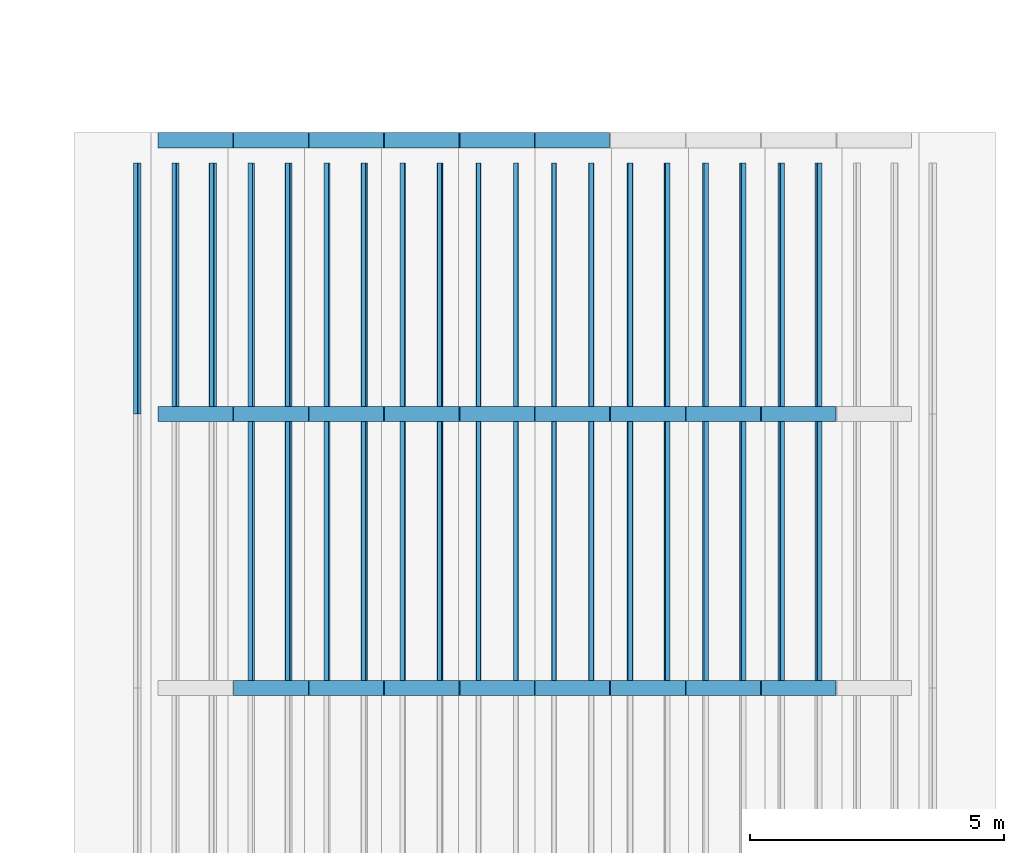
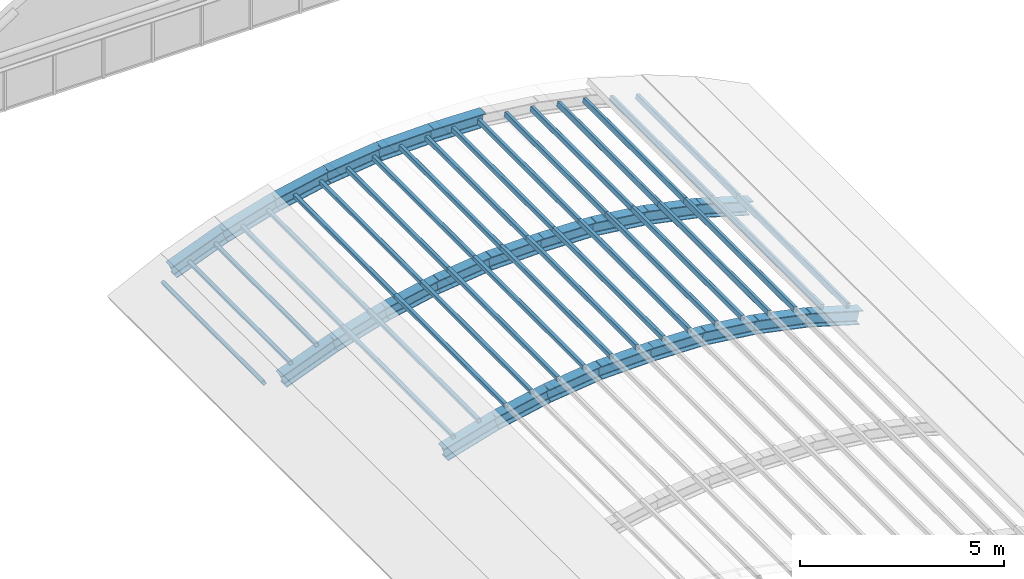
# One storey, part 6 of 65: 58 members.
"""IFC4 building model written with IfcOpenShell, lengths in metres."""

from ifc_helpers import new_model, si_unit, direction, frame, origin, origin_2d, place, context, subcontext, project, spatial, hollow_rectangle, i_section, extrude, material, material_profile, profile_set, type_object, element, save


model = new_model("IFC4")

# Units and contexts
model_context = context("Model", 3, precision=1e-05, world=origin(), true_north=direction((0.0, 1.0)))
body_context = subcontext(model_context, "Body", "Model", "MODEL_VIEW")
ifc_project = project(units=[si_unit("LENGTHUNIT", "METRE"), si_unit("AREAUNIT", "SQUARE_METRE"), si_unit("VOLUMEUNIT", "CUBIC_METRE"), si_unit("PLANEANGLEUNIT", "RADIAN"), si_unit("MASSUNIT", "GRAM", prefix="KILO")], contexts=[model_context])

# Site, building, storey
site_placement = place(None, origin())
site = spatial("IfcSite", under=ifc_project, at=site_placement, CompositionType="ELEMENT")
building_placement = place(site_placement, origin())
building = spatial("IfcBuilding", under=site, at=building_placement, Name="Elbe Cascade School", CompositionType="ELEMENT")
storey_placement = place(building_placement, frame((0.0, 0.0, 11.699951171875)))
storey = spatial("IfcBuildingStorey", under=building, at=storey_placement, Name="L03", CompositionType="ELEMENT", Elevation=11.699951171875)

# Members
ifc_material_1 = material(Name="Steel S355J2H", Category="steel")
ifc_material_profile_1 = material_profile(ifc_material_1, hollow_rectangle(XDim=0.10009765625, YDim=0.14990234375, WallThickness=0.008056640625, InnerFilletRadius=0.008056640625, OuterFilletRadius=0.011962890625, at=origin_2d()), Name="RHS 150x100x8")
ifc_profile_set_1 = profile_set([ifc_material_profile_1], Name="Steel S355J2H")
member_type_1 = type_object("IfcMemberType", Name="Assembly hall vault purlin RHS 150x100x8", PredefinedType="PURLIN", material=ifc_profile_set_1)
for number, where, z_axis, x_axis, name in (
    (1, (9.1552734375, 27.60009765625, 0.316650390625), (0.0, 1.0, 0.0), (-0.896138941153, 0.0, -0.443773588837), "Assembly hall vault purlin RHS 150x100x8 M12"),
    (2, (9.9130859375, 27.60009765625, 0.65185546875), (0.0, 1.0, 0.0), (-0.931759682277, 0.0, -0.363075604362), "Assembly hall vault purlin RHS 150x100x8 M12"),
    (3, (10.6484375, 27.60009765625, 0.9384765625), (0.0, 1.0, 0.0), (-0.931759682277, 0.0, -0.363075604362), "Assembly hall vault purlin RHS 150x100x8 M12"),
):
    element("IfcMember", number, at=place(storey_placement, frame(where, z_axis=z_axis, x_axis=x_axis)), inside=storey, type_object=member_type_1, Name=name, PredefinedType="PURLIN", context=body_context, shape_type="SweptSolid", body=[
        extrude(hollow_rectangle(XDim=0.10009765625, YDim=0.14990234375, WallThickness=0.008056640625, InnerFilletRadius=0.008056640625, OuterFilletRadius=0.011962890625, at=origin_2d()), origin(), (0.0, 0.0, 1.0), 4.949951171875),
    ])
member_1_placement = place(storey_placement, frame((11.40625, 22.199951171875, 1.197509765625), z_axis=(0.0, 1.0, 0.0), x_axis=(-0.959320873157, 0.0, -0.282318016296)))
element("IfcMember", 4, at=member_1_placement, inside=storey, type_object=member_type_1, Name="Assembly hall vault purlin RHS 150x100x8 M12", PredefinedType="PURLIN", context=body_context, shape_type="SweptSolid", body=[
    extrude(hollow_rectangle(XDim=0.10009765625, YDim=0.14990234375, WallThickness=0.008056640625, InnerFilletRadius=0.008056640625, OuterFilletRadius=0.011962890625, at=origin_2d()), origin(), (0.0, 0.0, 1.0), 5.400146484375),
])
member_2_placement = place(storey_placement, frame((11.40625, 27.60009765625, 1.197509765625), z_axis=(0.0, 1.0, 0.0), x_axis=(-0.959320873157, 0.0, -0.282318016296)))
element("IfcMember", 5, at=member_2_placement, inside=storey, type_object=member_type_1, Name="Assembly hall vault purlin RHS 150x100x8 M12", PredefinedType="PURLIN", context=body_context, shape_type="SweptSolid", body=[
    extrude(hollow_rectangle(XDim=0.10009765625, YDim=0.14990234375, WallThickness=0.008056640625, InnerFilletRadius=0.008056640625, OuterFilletRadius=0.011962890625, at=origin_2d()), origin(), (0.0, 0.0, 1.0), 4.949951171875),
])
member_3_placement = place(storey_placement, frame((12.1416015625, 22.199951171875, 1.4140625), z_axis=(0.0, 1.0, 0.0), x_axis=(-0.959320873157, 0.0, -0.282318016296)))
element("IfcMember", 6, at=member_3_placement, inside=storey, type_object=member_type_1, Name="Assembly hall vault purlin RHS 150x100x8 M12", PredefinedType="PURLIN", context=body_context, shape_type="SweptSolid", body=[
    extrude(hollow_rectangle(XDim=0.10009765625, YDim=0.14990234375, WallThickness=0.008056640625, InnerFilletRadius=0.008056640625, OuterFilletRadius=0.011962890625, at=origin_2d()), origin(), (0.0, 0.0, 1.0), 5.400146484375),
])
member_4_placement = place(storey_placement, frame((12.1416015625, 27.60009765625, 1.4140625), z_axis=(0.0, 1.0, 0.0), x_axis=(-0.959320873157, 0.0, -0.282318016296)))
element("IfcMember", 7, at=member_4_placement, inside=storey, type_object=member_type_1, Name="Assembly hall vault purlin RHS 150x100x8 M12", PredefinedType="PURLIN", context=body_context, shape_type="SweptSolid", body=[
    extrude(hollow_rectangle(XDim=0.10009765625, YDim=0.14990234375, WallThickness=0.008056640625, InnerFilletRadius=0.008056640625, OuterFilletRadius=0.011962890625, at=origin_2d()), origin(), (0.0, 0.0, 1.0), 4.949951171875),
])
member_5_placement = place(storey_placement, frame((12.8994140625, 22.199951171875, 1.603515625), z_axis=(0.0, 1.0, 0.0), x_axis=(-0.979450827338, 0.0, -0.201683109922)))
element("IfcMember", 8, at=member_5_placement, inside=storey, type_object=member_type_1, Name="Assembly hall vault purlin RHS 150x100x8 M12", PredefinedType="PURLIN", context=body_context, shape_type="SweptSolid", body=[
    extrude(hollow_rectangle(XDim=0.10009765625, YDim=0.14990234375, WallThickness=0.008056640625, InnerFilletRadius=0.008056640625, OuterFilletRadius=0.011962890625, at=origin_2d()), origin(), (0.0, 0.0, 1.0), 5.400146484375),
])
member_6_placement = place(storey_placement, frame((12.8994140625, 27.60009765625, 1.603515625), z_axis=(0.0, 1.0, 0.0), x_axis=(-0.979450827338, 0.0, -0.201683109922)))
element("IfcMember", 9, at=member_6_placement, inside=storey, type_object=member_type_1, Name="Assembly hall vault purlin RHS 150x100x8 M12", PredefinedType="PURLIN", context=body_context, shape_type="SweptSolid", body=[
    extrude(hollow_rectangle(XDim=0.10009765625, YDim=0.14990234375, WallThickness=0.008056640625, InnerFilletRadius=0.008056640625, OuterFilletRadius=0.011962890625, at=origin_2d()), origin(), (0.0, 0.0, 1.0), 4.949951171875),
])
member_7_placement = place(storey_placement, frame((13.635009765625, 22.199951171875, 1.7548828125), z_axis=(0.0, 1.0, 0.0), x_axis=(-0.979450827338, 0.0, -0.201683109922)))
element("IfcMember", 10, at=member_7_placement, inside=storey, type_object=member_type_1, Name="Assembly hall vault purlin RHS 150x100x8 M12", PredefinedType="PURLIN", context=body_context, shape_type="SweptSolid", body=[
    extrude(hollow_rectangle(XDim=0.10009765625, YDim=0.14990234375, WallThickness=0.008056640625, InnerFilletRadius=0.008056640625, OuterFilletRadius=0.011962890625, at=origin_2d()), origin(), (0.0, 0.0, 1.0), 5.400146484375),
])
member_8_placement = place(storey_placement, frame((13.635009765625, 27.60009765625, 1.7548828125), z_axis=(0.0, 1.0, 0.0), x_axis=(-0.979450827338, 0.0, -0.201683109922)))
element("IfcMember", 11, at=member_8_placement, inside=storey, type_object=member_type_1, Name="Assembly hall vault purlin RHS 150x100x8 M12", PredefinedType="PURLIN", context=body_context, shape_type="SweptSolid", body=[
    extrude(hollow_rectangle(XDim=0.10009765625, YDim=0.14990234375, WallThickness=0.008056640625, InnerFilletRadius=0.008056640625, OuterFilletRadius=0.011962890625, at=origin_2d()), origin(), (0.0, 0.0, 1.0), 4.949951171875),
])
member_9_placement = place(storey_placement, frame((14.392578125, 22.199951171875, 1.879150390625), z_axis=(0.0, 1.0, 0.0), x_axis=(-0.992652124759, 0.0, -0.121003137194)))
element("IfcMember", 12, at=member_9_placement, inside=storey, type_object=member_type_1, Name="Assembly hall vault purlin RHS 150x100x8 M12", PredefinedType="PURLIN", context=body_context, shape_type="SweptSolid", body=[
    extrude(hollow_rectangle(XDim=0.10009765625, YDim=0.14990234375, WallThickness=0.008056640625, InnerFilletRadius=0.008056640625, OuterFilletRadius=0.011962890625, at=origin_2d()), origin(), (0.0, 0.0, 1.0), 5.400146484375),
])
member_10_placement = place(storey_placement, frame((14.392578125, 27.60009765625, 1.879150390625), z_axis=(0.0, 1.0, 0.0), x_axis=(-0.992652124759, 0.0, -0.121003137194)))
element("IfcMember", 13, at=member_10_placement, inside=storey, type_object=member_type_1, Name="Assembly hall vault purlin RHS 150x100x8 M12", PredefinedType="PURLIN", context=body_context, shape_type="SweptSolid", body=[
    extrude(hollow_rectangle(XDim=0.10009765625, YDim=0.14990234375, WallThickness=0.008056640625, InnerFilletRadius=0.008056640625, OuterFilletRadius=0.011962890625, at=origin_2d()), origin(), (0.0, 0.0, 1.0), 4.949951171875),
])
member_11_placement = place(storey_placement, frame((15.1279296875, 22.199951171875, 1.96875), z_axis=(0.0, 1.0, 0.0), x_axis=(-0.992652124759, 0.0, -0.121003137194)))
element("IfcMember", 14, at=member_11_placement, inside=storey, type_object=member_type_1, Name="Assembly hall vault purlin RHS 150x100x8 M12", PredefinedType="PURLIN", context=body_context, shape_type="SweptSolid", body=[
    extrude(hollow_rectangle(XDim=0.10009765625, YDim=0.14990234375, WallThickness=0.008056640625, InnerFilletRadius=0.008056640625, OuterFilletRadius=0.011962890625, at=origin_2d()), origin(), (0.0, 0.0, 1.0), 5.400146484375),
])
member_12_placement = place(storey_placement, frame((15.1279296875, 27.60009765625, 1.96875), z_axis=(0.0, 1.0, 0.0), x_axis=(-0.992652124759, 0.0, -0.121003137194)))
element("IfcMember", 15, at=member_12_placement, inside=storey, type_object=member_type_1, Name="Assembly hall vault purlin RHS 150x100x8 M12", PredefinedType="PURLIN", context=body_context, shape_type="SweptSolid", body=[
    extrude(hollow_rectangle(XDim=0.10009765625, YDim=0.14990234375, WallThickness=0.008056640625, InnerFilletRadius=0.008056640625, OuterFilletRadius=0.011962890625, at=origin_2d()), origin(), (0.0, 0.0, 1.0), 4.949951171875),
])
member_13_placement = place(storey_placement, frame((15.890380859375, 22.199951171875, 2.024169921875), z_axis=(0.0, 1.0, 0.0), x_axis=(-0.999726690182, 0.0, -0.023378300587)))
element("IfcMember", 16, at=member_13_placement, inside=storey, type_object=member_type_1, Name="Assembly hall vault purlin RHS 150x100x8 M12", PredefinedType="PURLIN", context=body_context, shape_type="SweptSolid", body=[
    extrude(hollow_rectangle(XDim=0.10009765625, YDim=0.14990234375, WallThickness=0.008056640625, InnerFilletRadius=0.008056640625, OuterFilletRadius=0.011962890625, at=origin_2d()), origin(), (0.0, 0.0, 1.0), 5.400146484375),
])
member_14_placement = place(storey_placement, frame((15.890380859375, 27.60009765625, 2.024169921875), z_axis=(0.0, 1.0, 0.0), x_axis=(-0.999726690182, 0.0, -0.023378300587)))
element("IfcMember", 17, at=member_14_placement, inside=storey, type_object=member_type_1, Name="Assembly hall vault purlin RHS 150x100x8 M12", PredefinedType="PURLIN", context=body_context, shape_type="SweptSolid", body=[
    extrude(hollow_rectangle(XDim=0.10009765625, YDim=0.14990234375, WallThickness=0.008056640625, InnerFilletRadius=0.008056640625, OuterFilletRadius=0.011962890625, at=origin_2d()), origin(), (0.0, 0.0, 1.0), 4.949951171875),
])
member_15_placement = place(storey_placement, frame((16.625732421875, 22.199951171875, 2.041259765625), z_axis=(0.0, 1.0, 0.0), x_axis=(-0.999726690182, 0.0, -0.023378300587)))
element("IfcMember", 18, at=member_15_placement, inside=storey, type_object=member_type_1, Name="Assembly hall vault purlin RHS 150x100x8 M12", PredefinedType="PURLIN", context=body_context, shape_type="SweptSolid", body=[
    extrude(hollow_rectangle(XDim=0.10009765625, YDim=0.14990234375, WallThickness=0.008056640625, InnerFilletRadius=0.008056640625, OuterFilletRadius=0.011962890625, at=origin_2d()), origin(), (0.0, 0.0, 1.0), 5.400146484375),
])
member_16_placement = place(storey_placement, frame((16.625732421875, 27.60009765625, 2.041259765625), z_axis=(0.0, 1.0, 0.0), x_axis=(-0.999726690182, 0.0, -0.023378300587)))
element("IfcMember", 19, at=member_16_placement, inside=storey, type_object=member_type_1, Name="Assembly hall vault purlin RHS 150x100x8 M12", PredefinedType="PURLIN", context=body_context, shape_type="SweptSolid", body=[
    extrude(hollow_rectangle(XDim=0.10009765625, YDim=0.14990234375, WallThickness=0.008056640625, InnerFilletRadius=0.008056640625, OuterFilletRadius=0.011962890625, at=origin_2d()), origin(), (0.0, 0.0, 1.0), 4.949951171875),
])
member_17_placement = place(storey_placement, frame((17.374267578125, 22.199951171875, 2.041259765625), z_axis=(0.0, 1.0, 0.0), x_axis=(-0.999726690182, 0.0, 0.023378300587)))
element("IfcMember", 20, at=member_17_placement, inside=storey, type_object=member_type_1, Name="Assembly hall vault purlin RHS 150x100x8 M12", PredefinedType="PURLIN", context=body_context, shape_type="SweptSolid", body=[
    extrude(hollow_rectangle(XDim=0.10009765625, YDim=0.14990234375, WallThickness=0.008056640625, InnerFilletRadius=0.008056640625, OuterFilletRadius=0.011962890625, at=origin_2d()), origin(), (0.0, 0.0, 1.0), 5.400146484375),
])
member_18_placement = place(storey_placement, frame((17.374267578125, 27.60009765625, 2.041259765625), z_axis=(0.0, 1.0, 0.0), x_axis=(-0.999726690182, 0.0, 0.023378300587)))
element("IfcMember", 21, at=member_18_placement, inside=storey, type_object=member_type_1, Name="Assembly hall vault purlin RHS 150x100x8 M12", PredefinedType="PURLIN", context=body_context, shape_type="SweptSolid", body=[
    extrude(hollow_rectangle(XDim=0.10009765625, YDim=0.14990234375, WallThickness=0.008056640625, InnerFilletRadius=0.008056640625, OuterFilletRadius=0.011962890625, at=origin_2d()), origin(), (0.0, 0.0, 1.0), 4.949951171875),
])
member_19_placement = place(storey_placement, frame((18.109619140625, 22.199951171875, 2.024169921875), z_axis=(0.0, 1.0, 0.0), x_axis=(-0.999726690182, 0.0, 0.023378300587)))
element("IfcMember", 22, at=member_19_placement, inside=storey, type_object=member_type_1, Name="Assembly hall vault purlin RHS 150x100x8 M12", PredefinedType="PURLIN", context=body_context, shape_type="SweptSolid", body=[
    extrude(hollow_rectangle(XDim=0.10009765625, YDim=0.14990234375, WallThickness=0.008056640625, InnerFilletRadius=0.008056640625, OuterFilletRadius=0.011962890625, at=origin_2d()), origin(), (0.0, 0.0, 1.0), 5.400146484375),
])
member_20_placement = place(storey_placement, frame((18.109619140625, 27.60009765625, 2.024169921875), z_axis=(0.0, 1.0, 0.0), x_axis=(-0.999726690182, 0.0, 0.023378300587)))
element("IfcMember", 23, at=member_20_placement, inside=storey, type_object=member_type_1, Name="Assembly hall vault purlin RHS 150x100x8 M12", PredefinedType="PURLIN", context=body_context, shape_type="SweptSolid", body=[
    extrude(hollow_rectangle(XDim=0.10009765625, YDim=0.14990234375, WallThickness=0.008056640625, InnerFilletRadius=0.008056640625, OuterFilletRadius=0.011962890625, at=origin_2d()), origin(), (0.0, 0.0, 1.0), 4.949951171875),
])
member_21_placement = place(storey_placement, frame((18.8720703125, 22.199951171875, 1.96875), z_axis=(0.0, 1.0, 0.0), x_axis=(-0.992653180673, 0.0, 0.120994474666)))
element("IfcMember", 24, at=member_21_placement, inside=storey, type_object=member_type_1, Name="Assembly hall vault purlin RHS 150x100x8 M12", PredefinedType="PURLIN", context=body_context, shape_type="SweptSolid", body=[
    extrude(hollow_rectangle(XDim=0.10009765625, YDim=0.14990234375, WallThickness=0.008056640625, InnerFilletRadius=0.008056640625, OuterFilletRadius=0.011962890625, at=origin_2d()), origin(), (0.0, 0.0, 1.0), 5.400146484375),
])
member_22_placement = place(storey_placement, frame((18.8720703125, 27.60009765625, 1.96875), z_axis=(0.0, 1.0, 0.0), x_axis=(-0.992653180673, 0.0, 0.120994474666)))
element("IfcMember", 25, at=member_22_placement, inside=storey, type_object=member_type_1, Name="Assembly hall vault purlin RHS 150x100x8 M12", PredefinedType="PURLIN", context=body_context, shape_type="SweptSolid", body=[
    extrude(hollow_rectangle(XDim=0.10009765625, YDim=0.14990234375, WallThickness=0.008056640625, InnerFilletRadius=0.008056640625, OuterFilletRadius=0.011962890625, at=origin_2d()), origin(), (0.0, 0.0, 1.0), 4.949951171875),
])
member_23_placement = place(storey_placement, frame((19.607421875, 22.199951171875, 1.879150390625), z_axis=(0.0, 1.0, 0.0), x_axis=(-0.992653180673, 0.0, 0.120994474666)))
element("IfcMember", 26, at=member_23_placement, inside=storey, type_object=member_type_1, Name="Assembly hall vault purlin RHS 150x100x8 M12", PredefinedType="PURLIN", context=body_context, shape_type="SweptSolid", body=[
    extrude(hollow_rectangle(XDim=0.10009765625, YDim=0.14990234375, WallThickness=0.008056640625, InnerFilletRadius=0.008056640625, OuterFilletRadius=0.011962890625, at=origin_2d()), origin(), (0.0, 0.0, 1.0), 5.400146484375),
])
member_24_placement = place(storey_placement, frame((19.607421875, 27.60009765625, 1.879150390625), z_axis=(0.0, 1.0, 0.0), x_axis=(-0.992653180673, 0.0, 0.120994474666)))
element("IfcMember", 27, at=member_24_placement, inside=storey, type_object=member_type_1, Name="Assembly hall vault purlin RHS 150x100x8 M12", PredefinedType="PURLIN", context=body_context, shape_type="SweptSolid", body=[
    extrude(hollow_rectangle(XDim=0.10009765625, YDim=0.14990234375, WallThickness=0.008056640625, InnerFilletRadius=0.008056640625, OuterFilletRadius=0.011962890625, at=origin_2d()), origin(), (0.0, 0.0, 1.0), 4.949951171875),
])
member_25_placement = place(storey_placement, frame((20.365234375, 22.199951171875, 1.7548828125), z_axis=(0.0, 1.0, 0.0), x_axis=(-0.979448011215, 0.0, 0.201696785616)))
element("IfcMember", 28, at=member_25_placement, inside=storey, type_object=member_type_1, Name="Assembly hall vault purlin RHS 150x100x8 M12", PredefinedType="PURLIN", context=body_context, shape_type="SweptSolid", body=[
    extrude(hollow_rectangle(XDim=0.10009765625, YDim=0.14990234375, WallThickness=0.008056640625, InnerFilletRadius=0.008056640625, OuterFilletRadius=0.011962890625, at=origin_2d()), origin(), (0.0, 0.0, 1.0), 5.400146484375),
])
member_26_placement = place(storey_placement, frame((20.365234375, 27.60009765625, 1.7548828125), z_axis=(0.0, 1.0, 0.0), x_axis=(-0.979448011215, 0.0, 0.201696785616)))
element("IfcMember", 29, at=member_26_placement, inside=storey, type_object=member_type_1, Name="Assembly hall vault purlin RHS 150x100x8 M12", PredefinedType="PURLIN", context=body_context, shape_type="SweptSolid", body=[
    extrude(hollow_rectangle(XDim=0.10009765625, YDim=0.14990234375, WallThickness=0.008056640625, InnerFilletRadius=0.008056640625, OuterFilletRadius=0.011962890625, at=origin_2d()), origin(), (0.0, 0.0, 1.0), 4.949951171875),
])
member_27_placement = place(storey_placement, frame((21.1005859375, 22.199951171875, 1.603515625), z_axis=(0.0, 1.0, 0.0), x_axis=(-0.979448011215, 0.0, 0.201696785616)))
element("IfcMember", 30, at=member_27_placement, inside=storey, type_object=member_type_1, Name="Assembly hall vault purlin RHS 150x100x8 M12", PredefinedType="PURLIN", context=body_context, shape_type="SweptSolid", body=[
    extrude(hollow_rectangle(XDim=0.10009765625, YDim=0.14990234375, WallThickness=0.008056640625, InnerFilletRadius=0.008056640625, OuterFilletRadius=0.011962890625, at=origin_2d()), origin(), (0.0, 0.0, 1.0), 5.400146484375),
])
member_28_placement = place(storey_placement, frame((21.1005859375, 27.60009765625, 1.603515625), z_axis=(0.0, 1.0, 0.0), x_axis=(-0.979448011215, 0.0, 0.201696785616)))
element("IfcMember", 31, at=member_28_placement, inside=storey, type_object=member_type_1, Name="Assembly hall vault purlin RHS 150x100x8 M12", PredefinedType="PURLIN", context=body_context, shape_type="SweptSolid", body=[
    extrude(hollow_rectangle(XDim=0.10009765625, YDim=0.14990234375, WallThickness=0.008056640625, InnerFilletRadius=0.008056640625, OuterFilletRadius=0.011962890625, at=origin_2d()), origin(), (0.0, 0.0, 1.0), 4.949951171875),
])
member_29_placement = place(storey_placement, frame((21.8583984375, 22.199951171875, 1.4140625), z_axis=(0.0, 1.0, 0.0), x_axis=(-0.959320873157, 0.0, 0.282318016296)))
element("IfcMember", 32, at=member_29_placement, inside=storey, type_object=member_type_1, Name="Assembly hall vault purlin RHS 150x100x8 M12", PredefinedType="PURLIN", context=body_context, shape_type="SweptSolid", body=[
    extrude(hollow_rectangle(XDim=0.10009765625, YDim=0.14990234375, WallThickness=0.008056640625, InnerFilletRadius=0.008056640625, OuterFilletRadius=0.011962890625, at=origin_2d()), origin(), (0.0, 0.0, 1.0), 5.400146484375),
])
member_30_placement = place(storey_placement, frame((21.8583984375, 27.60009765625, 1.4140625), z_axis=(0.0, 1.0, 0.0), x_axis=(-0.959320873157, 0.0, 0.282318016296)))
element("IfcMember", 33, at=member_30_placement, inside=storey, type_object=member_type_1, Name="Assembly hall vault purlin RHS 150x100x8 M12", PredefinedType="PURLIN", context=body_context, shape_type="SweptSolid", body=[
    extrude(hollow_rectangle(XDim=0.10009765625, YDim=0.14990234375, WallThickness=0.008056640625, InnerFilletRadius=0.008056640625, OuterFilletRadius=0.011962890625, at=origin_2d()), origin(), (0.0, 0.0, 1.0), 4.949951171875),
])
member_31_placement = place(storey_placement, frame((22.59375, 22.199951171875, 1.197509765625), z_axis=(0.0, 1.0, 0.0), x_axis=(-0.959320873157, 0.0, 0.282318016296)))
element("IfcMember", 34, at=member_31_placement, inside=storey, type_object=member_type_1, Name="Assembly hall vault purlin RHS 150x100x8 M12", PredefinedType="PURLIN", context=body_context, shape_type="SweptSolid", body=[
    extrude(hollow_rectangle(XDim=0.10009765625, YDim=0.14990234375, WallThickness=0.008056640625, InnerFilletRadius=0.008056640625, OuterFilletRadius=0.011962890625, at=origin_2d()), origin(), (0.0, 0.0, 1.0), 5.400146484375),
])
member_32_placement = place(storey_placement, frame((22.59375, 27.60009765625, 1.197509765625), z_axis=(0.0, 1.0, 0.0), x_axis=(-0.959320873157, 0.0, 0.282318016296)))
element("IfcMember", 35, at=member_32_placement, inside=storey, type_object=member_type_1, Name="Assembly hall vault purlin RHS 150x100x8 M12", PredefinedType="PURLIN", context=body_context, shape_type="SweptSolid", body=[
    extrude(hollow_rectangle(XDim=0.10009765625, YDim=0.14990234375, WallThickness=0.008056640625, InnerFilletRadius=0.008056640625, OuterFilletRadius=0.011962890625, at=origin_2d()), origin(), (0.0, 0.0, 1.0), 4.949951171875),
])
ifc_material_2 = material(Name="Steel S355J2", Category="steel")
ifc_material_profile_2 = material_profile(ifc_material_2, i_section(OverallWidth=0.300048828125, OverallDepth=0.39990234375, WebThickness=0.013427734375, FlangeThickness=0.02392578125, FilletRadius=0.027099609375, at=origin_2d()), Name="HEB 400")
ifc_profile_set_2 = profile_set([ifc_material_profile_2], Name="Steel S355J2")
member_type_2 = type_object("IfcMemberType", Name="Assembly hall vault rib HEB 400", PredefinedType="RAFTER", material=ifc_profile_set_2)
member_33_placement = place(storey_placement, frame((11.1162109375, 22.199951171875, 0.825439453125), z_axis=(0.95928179447, 0.0, 0.282450772347), x_axis=(0.0, 1.0, 0.0)))
element("IfcMember", 36, at=member_33_placement, inside=storey, type_object=member_type_2, Name="Assembly hall vault rib HEB 400 M11", PredefinedType="RAFTER", context=body_context, shape_type="SweptSolid", body=[
    extrude(i_section(OverallWidth=0.300048828125, OverallDepth=0.39990234375, WebThickness=0.013427734375, FlangeThickness=0.02392578125, FilletRadius=0.027099609375, at=origin_2d()), origin(), (0.0, 0.0, 1.0), 1.533447265625),
])
member_34_placement = place(storey_placement, frame((12.587158203125, 22.199951171875, 1.258544921875), z_axis=(0.979471206502, 0.0, 0.201584115529), x_axis=(0.0, 1.0, 0.0)))
element("IfcMember", 37, at=member_34_placement, inside=storey, type_object=member_type_2, Name="Assembly hall vault rib HEB 400 M11", PredefinedType="RAFTER", context=body_context, shape_type="SweptSolid", body=[
    extrude(i_section(OverallWidth=0.300048828125, OverallDepth=0.39990234375, WebThickness=0.013427734375, FlangeThickness=0.02392578125, FilletRadius=0.027099609375, at=origin_2d()), origin(), (0.0, 0.0, 1.0), 1.501708984375),
])
member_35_placement = place(storey_placement, frame((14.05810546875, 22.199951171875, 1.561279296875), z_axis=(0.992641048106, 0.0, 0.121093970184), x_axis=(0.0, 1.0, 0.0)))
element("IfcMember", 38, at=member_35_placement, inside=storey, type_object=member_type_2, Name="Assembly hall vault rib HEB 400 M11", PredefinedType="RAFTER", context=body_context, shape_type="SweptSolid", body=[
    extrude(i_section(OverallWidth=0.300048828125, OverallDepth=0.39990234375, WebThickness=0.013427734375, FlangeThickness=0.02392578125, FilletRadius=0.027099609375, at=origin_2d()), origin(), (0.0, 0.0, 1.0), 1.48193359375),
])
for number, where, z_axis, x_axis, name in (
    (39, (15.529052734375, 22.199951171875, 1.74072265625), (0.999726274169, 0.0, 0.023396083761), (0.0, 1.0, 0.0), "Assembly hall vault rib HEB 400 M11"),
    (40, (17.0, 22.199951171875, 1.775146484375), (0.999726274169, 0.0, -0.023396083761), (0.0, 1.0, 0.0), "Assembly hall vault rib HEB 400 M11"),
):
    element("IfcMember", number, at=place(storey_placement, frame(where, z_axis=z_axis, x_axis=x_axis)), inside=storey, type_object=member_type_2, Name=name, PredefinedType="RAFTER", context=body_context, shape_type="SweptSolid", body=[
        extrude(i_section(OverallWidth=0.300048828125, OverallDepth=0.39990234375, WebThickness=0.013427734375, FlangeThickness=0.02392578125, FilletRadius=0.027099609375, at=origin_2d()), origin(), (0.0, 0.0, 1.0), 1.471435546875),
    ])
member_36_placement = place(storey_placement, frame((18.470947265625, 22.199951171875, 1.74072265625), z_axis=(0.992641048106, 0.0, -0.121093970184), x_axis=(0.0, 1.0, 0.0)))
element("IfcMember", 41, at=member_36_placement, inside=storey, type_object=member_type_2, Name="Assembly hall vault rib HEB 400 M11", PredefinedType="RAFTER", context=body_context, shape_type="SweptSolid", body=[
    extrude(i_section(OverallWidth=0.300048828125, OverallDepth=0.39990234375, WebThickness=0.013427734375, FlangeThickness=0.02392578125, FilletRadius=0.027099609375, at=origin_2d()), origin(), (0.0, 0.0, 1.0), 1.48193359375),
])
member_37_placement = place(storey_placement, frame((19.94189453125, 22.199951171875, 1.561279296875), z_axis=(0.979471206502, 0.0, -0.201584115529), x_axis=(0.0, 1.0, 0.0)))
element("IfcMember", 42, at=member_37_placement, inside=storey, type_object=member_type_2, Name="Assembly hall vault rib HEB 400 M11", PredefinedType="RAFTER", context=body_context, shape_type="SweptSolid", body=[
    extrude(i_section(OverallWidth=0.300048828125, OverallDepth=0.39990234375, WebThickness=0.013427734375, FlangeThickness=0.02392578125, FilletRadius=0.027099609375, at=origin_2d()), origin(), (0.0, 0.0, 1.0), 1.501708984375),
])
member_38_placement = place(storey_placement, frame((21.412841796875, 22.199951171875, 1.258544921875), z_axis=(0.95928179447, 0.0, -0.282450772347), x_axis=(0.0, 1.0, 0.0)))
element("IfcMember", 43, at=member_38_placement, inside=storey, type_object=member_type_2, Name="Assembly hall vault rib HEB 400 M11", PredefinedType="RAFTER", context=body_context, shape_type="SweptSolid", body=[
    extrude(i_section(OverallWidth=0.300048828125, OverallDepth=0.39990234375, WebThickness=0.013427734375, FlangeThickness=0.02392578125, FilletRadius=0.027099609375, at=origin_2d()), origin(), (0.0, 0.0, 1.0), 1.533447265625),
])
member_39_placement = place(storey_placement, frame((9.64501953125, 27.60009765625, 0.25244140625), z_axis=(0.931818823681, 0.0, 0.362923793425), x_axis=(0.0, 1.0, 0.0)))
element("IfcMember", 44, at=member_39_placement, inside=storey, type_object=member_type_2, Name="Assembly hall vault rib HEB 400 M11", PredefinedType="RAFTER", context=body_context, shape_type="SweptSolid", body=[
    extrude(i_section(OverallWidth=0.300048828125, OverallDepth=0.39990234375, WebThickness=0.013427734375, FlangeThickness=0.02392578125, FilletRadius=0.027099609375, at=origin_2d()), origin(), (0.0, 0.0, 1.0), 1.578857421875),
])
member_40_placement = place(storey_placement, frame((11.1162109375, 27.60009765625, 0.825439453125), z_axis=(0.95928179447, 0.0, 0.282450772347), x_axis=(0.0, 1.0, 0.0)))
element("IfcMember", 45, at=member_40_placement, inside=storey, type_object=member_type_2, Name="Assembly hall vault rib HEB 400 M11", PredefinedType="RAFTER", context=body_context, shape_type="SweptSolid", body=[
    extrude(i_section(OverallWidth=0.300048828125, OverallDepth=0.39990234375, WebThickness=0.013427734375, FlangeThickness=0.02392578125, FilletRadius=0.027099609375, at=origin_2d()), origin(), (0.0, 0.0, 1.0), 1.533447265625),
])
member_41_placement = place(storey_placement, frame((12.587158203125, 27.60009765625, 1.258544921875), z_axis=(0.979471206502, 0.0, 0.201584115529), x_axis=(0.0, 1.0, 0.0)))
element("IfcMember", 46, at=member_41_placement, inside=storey, type_object=member_type_2, Name="Assembly hall vault rib HEB 400 M11", PredefinedType="RAFTER", context=body_context, shape_type="SweptSolid", body=[
    extrude(i_section(OverallWidth=0.300048828125, OverallDepth=0.39990234375, WebThickness=0.013427734375, FlangeThickness=0.02392578125, FilletRadius=0.027099609375, at=origin_2d()), origin(), (0.0, 0.0, 1.0), 1.501708984375),
])
member_42_placement = place(storey_placement, frame((14.05810546875, 27.60009765625, 1.561279296875), z_axis=(0.992641048106, 0.0, 0.121093970184), x_axis=(0.0, 1.0, 0.0)))
element("IfcMember", 47, at=member_42_placement, inside=storey, type_object=member_type_2, Name="Assembly hall vault rib HEB 400 M11", PredefinedType="RAFTER", context=body_context, shape_type="SweptSolid", body=[
    extrude(i_section(OverallWidth=0.300048828125, OverallDepth=0.39990234375, WebThickness=0.013427734375, FlangeThickness=0.02392578125, FilletRadius=0.027099609375, at=origin_2d()), origin(), (0.0, 0.0, 1.0), 1.48193359375),
])
for number, where, z_axis, x_axis, name in (
    (48, (15.529052734375, 27.60009765625, 1.74072265625), (0.999726274169, 0.0, 0.023396083761), (0.0, 1.0, 0.0), "Assembly hall vault rib HEB 400 M11"),
    (49, (17.0, 27.60009765625, 1.775146484375), (0.999726274169, 0.0, -0.023396083761), (0.0, 1.0, 0.0), "Assembly hall vault rib HEB 400 M11"),
):
    element("IfcMember", number, at=place(storey_placement, frame(where, z_axis=z_axis, x_axis=x_axis)), inside=storey, type_object=member_type_2, Name=name, PredefinedType="RAFTER", context=body_context, shape_type="SweptSolid", body=[
        extrude(i_section(OverallWidth=0.300048828125, OverallDepth=0.39990234375, WebThickness=0.013427734375, FlangeThickness=0.02392578125, FilletRadius=0.027099609375, at=origin_2d()), origin(), (0.0, 0.0, 1.0), 1.471435546875),
    ])
member_43_placement = place(storey_placement, frame((18.470947265625, 27.60009765625, 1.74072265625), z_axis=(0.992641048106, 0.0, -0.121093970184), x_axis=(0.0, 1.0, 0.0)))
element("IfcMember", 50, at=member_43_placement, inside=storey, type_object=member_type_2, Name="Assembly hall vault rib HEB 400 M11", PredefinedType="RAFTER", context=body_context, shape_type="SweptSolid", body=[
    extrude(i_section(OverallWidth=0.300048828125, OverallDepth=0.39990234375, WebThickness=0.013427734375, FlangeThickness=0.02392578125, FilletRadius=0.027099609375, at=origin_2d()), origin(), (0.0, 0.0, 1.0), 1.48193359375),
])
member_44_placement = place(storey_placement, frame((19.94189453125, 27.60009765625, 1.561279296875), z_axis=(0.979471206502, 0.0, -0.201584115529), x_axis=(0.0, 1.0, 0.0)))
element("IfcMember", 51, at=member_44_placement, inside=storey, type_object=member_type_2, Name="Assembly hall vault rib HEB 400 M11", PredefinedType="RAFTER", context=body_context, shape_type="SweptSolid", body=[
    extrude(i_section(OverallWidth=0.300048828125, OverallDepth=0.39990234375, WebThickness=0.013427734375, FlangeThickness=0.02392578125, FilletRadius=0.027099609375, at=origin_2d()), origin(), (0.0, 0.0, 1.0), 1.501708984375),
])
member_45_placement = place(storey_placement, frame((21.412841796875, 27.60009765625, 1.258544921875), z_axis=(0.95928179447, 0.0, -0.282450772347), x_axis=(0.0, 1.0, 0.0)))
element("IfcMember", 52, at=member_45_placement, inside=storey, type_object=member_type_2, Name="Assembly hall vault rib HEB 400 M11", PredefinedType="RAFTER", context=body_context, shape_type="SweptSolid", body=[
    extrude(i_section(OverallWidth=0.300048828125, OverallDepth=0.39990234375, WebThickness=0.013427734375, FlangeThickness=0.02392578125, FilletRadius=0.027099609375, at=origin_2d()), origin(), (0.0, 0.0, 1.0), 1.533447265625),
])
member_46_placement = place(storey_placement, frame((9.64501953125, 33.0, 0.25244140625), z_axis=(0.931818823681, 0.0, 0.362923793425), x_axis=(0.0, 1.0, 0.0)))
element("IfcMember", 53, at=member_46_placement, inside=storey, type_object=member_type_2, Name="Assembly hall vault rib HEB 400 M11", PredefinedType="RAFTER", context=body_context, shape_type="SweptSolid", body=[
    extrude(i_section(OverallWidth=0.300048828125, OverallDepth=0.39990234375, WebThickness=0.013427734375, FlangeThickness=0.02392578125, FilletRadius=0.027099609375, at=origin_2d()), origin(), (0.0, 0.0, 1.0), 1.578857421875),
])
member_47_placement = place(storey_placement, frame((11.1162109375, 33.0, 0.825439453125), z_axis=(0.95928179447, 0.0, 0.282450772347), x_axis=(0.0, 1.0, 0.0)))
element("IfcMember", 54, at=member_47_placement, inside=storey, type_object=member_type_2, Name="Assembly hall vault rib HEB 400 M11", PredefinedType="RAFTER", context=body_context, shape_type="SweptSolid", body=[
    extrude(i_section(OverallWidth=0.300048828125, OverallDepth=0.39990234375, WebThickness=0.013427734375, FlangeThickness=0.02392578125, FilletRadius=0.027099609375, at=origin_2d()), origin(), (0.0, 0.0, 1.0), 1.533447265625),
])
member_48_placement = place(storey_placement, frame((12.587158203125, 33.0, 1.258544921875), z_axis=(0.979471206502, 0.0, 0.201584115529), x_axis=(0.0, 1.0, 0.0)))
element("IfcMember", 55, at=member_48_placement, inside=storey, type_object=member_type_2, Name="Assembly hall vault rib HEB 400 M11", PredefinedType="RAFTER", context=body_context, shape_type="SweptSolid", body=[
    extrude(i_section(OverallWidth=0.300048828125, OverallDepth=0.39990234375, WebThickness=0.013427734375, FlangeThickness=0.02392578125, FilletRadius=0.027099609375, at=origin_2d()), origin(), (0.0, 0.0, 1.0), 1.501708984375),
])
member_49_placement = place(storey_placement, frame((14.05810546875, 33.0, 1.561279296875), z_axis=(0.992641048106, 0.0, 0.121093970184), x_axis=(0.0, 1.0, 0.0)))
element("IfcMember", 56, at=member_49_placement, inside=storey, type_object=member_type_2, Name="Assembly hall vault rib HEB 400 M11", PredefinedType="RAFTER", context=body_context, shape_type="SweptSolid", body=[
    extrude(i_section(OverallWidth=0.300048828125, OverallDepth=0.39990234375, WebThickness=0.013427734375, FlangeThickness=0.02392578125, FilletRadius=0.027099609375, at=origin_2d()), origin(), (0.0, 0.0, 1.0), 1.48193359375),
])
for number, where, z_axis, x_axis, name in (
    (57, (15.529052734375, 33.0, 1.74072265625), (0.999726274169, 0.0, 0.023396083761), (0.0, 1.0, 0.0), "Assembly hall vault rib HEB 400 M11"),
    (58, (17.0, 33.0, 1.775146484375), (0.999726274169, 0.0, -0.023396083761), (0.0, 1.0, 0.0), "Assembly hall vault rib HEB 400 M11"),
):
    element("IfcMember", number, at=place(storey_placement, frame(where, z_axis=z_axis, x_axis=x_axis)), inside=storey, type_object=member_type_2, Name=name, PredefinedType="RAFTER", context=body_context, shape_type="SweptSolid", body=[
        extrude(i_section(OverallWidth=0.300048828125, OverallDepth=0.39990234375, WebThickness=0.013427734375, FlangeThickness=0.02392578125, FilletRadius=0.027099609375, at=origin_2d()), origin(), (0.0, 0.0, 1.0), 1.471435546875),
    ])

save(model, "model.ifc")
